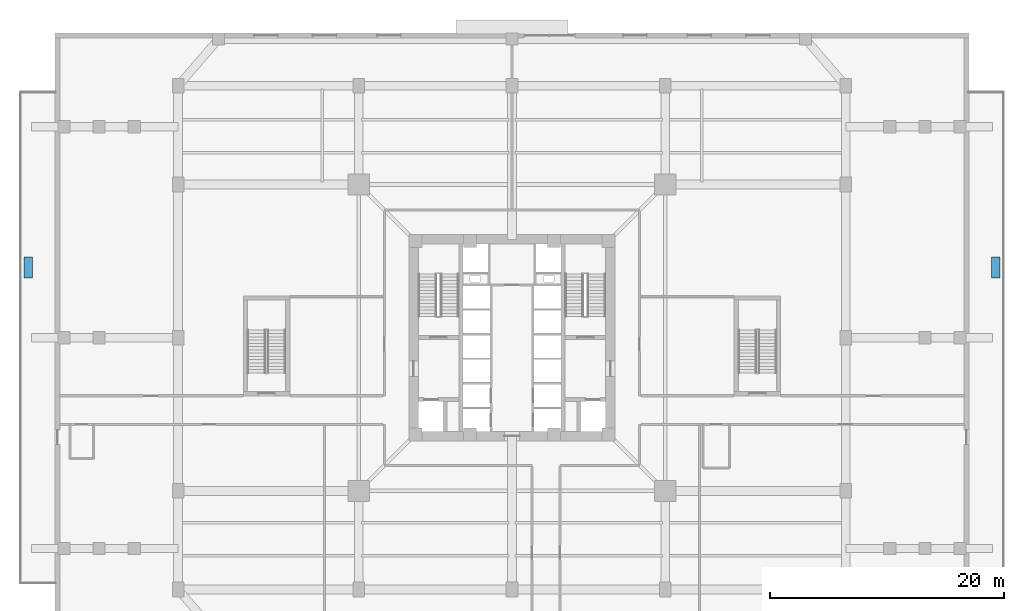
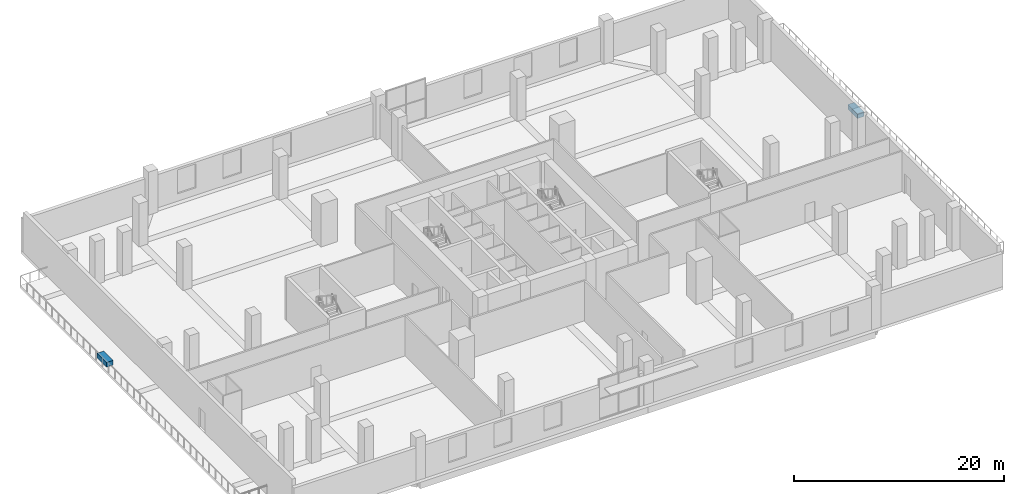
# One storey, part 10 of 17: 2 discrete accessories.
"""IFC4 building model written with IfcOpenShell, lengths in metres."""

from ifc_helpers import new_model, si_unit, direction, frame, origin, origin_2d, place, context, subcontext, project, spatial, rectangle, extrude, source, transform, mapped, material, type_object, element, save


model = new_model("IFC4")

# Units and contexts
model_context = context("Model", 3, precision=1e-05, world=origin(), true_north=direction((0.0, 1.0)))
body_context = subcontext(model_context, "Body", "Model", "MODEL_VIEW")
ifc_project = project(units=[si_unit("LENGTHUNIT", "METRE"), si_unit("AREAUNIT", "SQUARE_METRE"), si_unit("VOLUMEUNIT", "CUBIC_METRE"), si_unit("PLANEANGLEUNIT", "RADIAN"), si_unit("MASSUNIT", "GRAM", prefix="KILO"), si_unit("THERMODYNAMICTEMPERATUREUNIT", "KELVIN")], contexts=[model_context])

# Site, building, storey
site_placement = place(None, origin())
site = spatial("IfcSite", under=ifc_project, at=site_placement, CompositionType="ELEMENT")
building_placement = place(site_placement, origin())
building = spatial("IfcBuilding", under=site, at=building_placement, Name="Kosmvard Interchange Tower", CompositionType="ELEMENT")
storey_placement = place(building_placement, frame((0.0, 0.0, 6.0)))
storey = spatial("IfcBuildingStorey", under=building, at=storey_placement, Name="L01", CompositionType="ELEMENT", Elevation=6.0)

# Discrete accessories
ifc_material = material(Name="Terracotta precast planter concrete C45/55", Category="masonry")
discrete_accessory_type = type_object("IfcDiscreteAccessoryType", Name="Precast Tree-Balcony & Terrace Planter Box", PredefinedType="USERDEFINED", material=ifc_material)
shared_shape = source(origin(), body_context, "Body", "SweptSolid", [
    extrude(rectangle(XDim=0.75, YDim=1.800048828125, at=origin_2d()), origin(), (0.0, 0.0, 1.0), 0.550048828125),
])
for number, where, z_axis, x_axis, name in (
    (1, (-41.300048828125, 6.0, 0.0), (0.0, 0.0, 1.0), (1.0, 0.0, 0.0), "L01 Cascading Terrace Tree Planter TER-L01-W"),
    (2, (41.300048828125, 6.0, 0.0), (0.0, 0.0, 1.0), (1.0, 0.0, 0.0), "L01 Cascading Terrace Tree Planter TER-L01-E"),
):
    element("IfcDiscreteAccessory", number, at=place(storey_placement, frame(where, z_axis=z_axis, x_axis=x_axis)), inside=storey, type_object=discrete_accessory_type, Name=name, ObjectType="PLANTER", PredefinedType="USERDEFINED", context=body_context, shape_type="MappedRepresentation", body=[
        mapped(shared_shape, transform((0.0, 0.0, 0.0), scale=1.0)),
    ])

save(model, "model.ifc")
